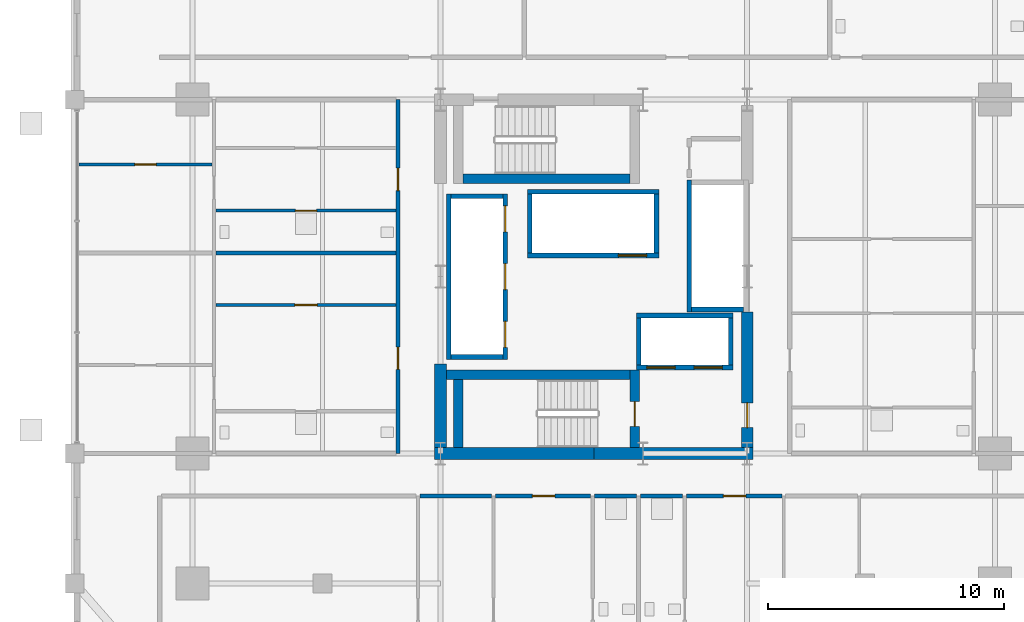
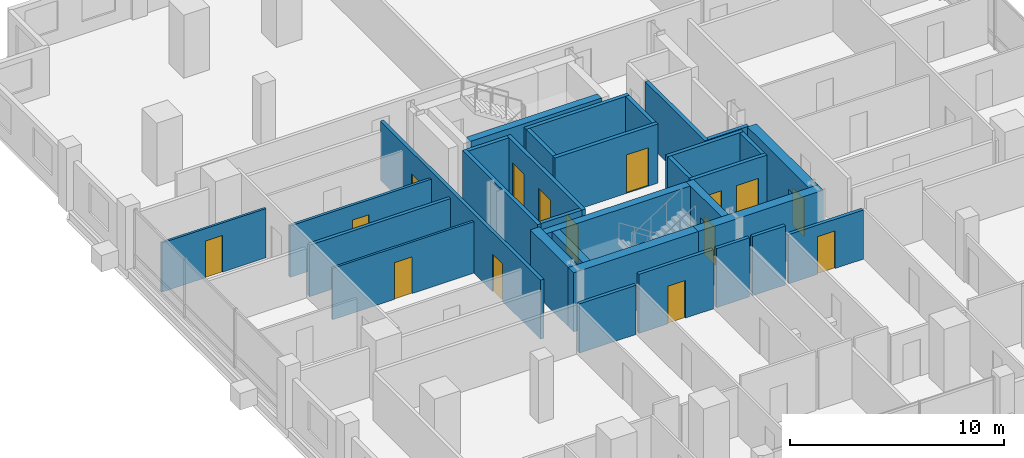
# One storey, part 18 of 23: 32 walls, 15 doors, 15 openings.
"""IFC4 building model written with IfcOpenShell, lengths in metres."""

from ifc_helpers import new_model, si_unit, direction, frame, frame_2d, origin, place, context, subcontext, project, spatial, rectangle, extrude, material, layer, layer_set, type_object, element, fill, save


model = new_model("IFC4")

# Units and contexts
model_context = context("Model", 3, precision=1e-05, world=origin(), true_north=direction((0.0, 1.0)))
body_context = subcontext(model_context, "Body", "Model", "MODEL_VIEW")
ifc_project = project(units=[si_unit("LENGTHUNIT", "METRE"), si_unit("AREAUNIT", "SQUARE_METRE"), si_unit("VOLUMEUNIT", "CUBIC_METRE"), si_unit("PLANEANGLEUNIT", "RADIAN"), si_unit("MASSUNIT", "GRAM", prefix="KILO")], contexts=[model_context])

# Site, building, storey
site_placement = place(None, origin())
site = spatial("IfcSite", under=ifc_project, at=site_placement, CompositionType="ELEMENT")
building_placement = place(site_placement, origin())
building = spatial("IfcBuilding", under=site, at=building_placement, Name="Barlavira Tower and Art Museum", CompositionType="ELEMENT")
storey_placement = place(building_placement, frame((0.0, 0.0, 54.0)))
storey = spatial("IfcBuildingStorey", under=building, at=storey_placement, Name="L12", CompositionType="ELEMENT", Elevation=54.0)

# Wall, opening, door
ifc_material_1 = material(Name="Gypsum acoustic stud partition", Category="gypsum")
ifc_layer_1 = layer(ifc_material_1, 0.1201171875, Name="Gypsum acoustic stud partition")
ifc_layer_set_1 = layer_set([ifc_layer_1], Name="Gypsum acoustic stud partition")
wall_type_1 = type_object("IfcWallType", Name="Apartment Internal Acoustic Partition 120", PredefinedType="PARTITIONING", material=ifc_layer_set_1)
wall_1_placement = place(storey_placement, frame((-16.02001953125, -1.199951171875, 0.0), z_axis=(0.0, 0.0, 1.0), x_axis=(1.0, 0.0, 0.0)))
wall_1 = element("IfcWall", 1, at=wall_1_placement, inside=storey, type_object=wall_type_1, Name="L12 Partition Wall 49", PredefinedType="PARTITIONING", context=body_context, shape_type="SweptSolid", body=[
    extrude(rectangle(XDim=7.64013671875, YDim=0.1201171875, at=frame_2d((3.820068359375, 0.0))), origin(), (0.0, 0.0, 1.0), 2.947998046875),
])
opening_1_placement = place(wall_1_placement, frame((3.344970703125, 0.0, 0.0)))
opening_1 = element("IfcOpeningElement", 2, at=opening_1_placement, cuts=wall_1, Name="Opening D-02", PredefinedType="OPENING", context=body_context, shape_type="SweptSolid", body=[
    extrude(rectangle(XDim=0.949951171875, YDim=2.10009765625, at=frame_2d((0.47509765625, 1.050048828125))), frame((0.0, 0.070068359375, 0.0), z_axis=(0.0, -1.0, 0.0), x_axis=(1.0, 0.0, 0.0)), (0.0, 0.0, 1.0), 0.14013671875),
])
ifc_material_2 = material(Name="Engineered coastal hardwood", Category="wood")
door_type_1 = type_object("IfcDoorType", Name="Living and Salon Glazed-Leaf Door 950x2100", OperationType="NOTDEFINED", PredefinedType="DOOR", material=ifc_material_2)
door_1_placement = place(opening_1_placement, origin())
door_1 = element("IfcDoor", 3, at=door_1_placement, inside=storey, type_object=door_type_1, Name="Apartment W1 Kitchen Door", OperationType="SINGLE_SWING_RIGHT", OverallHeight=2.10009765625, OverallWidth=0.949951171875, PredefinedType="DOOR", context=body_context, shape_type="SweptSolid", body=[
    extrude(rectangle(XDim=0.949951171875, YDim=2.10009765625, at=frame_2d((0.47509765625, 1.050048828125))), frame((0.0, 0.02490234375, 0.0), z_axis=(0.0, -1.0, 0.0), x_axis=(1.0, 0.0, 0.0)), (0.0, 0.0, 1.0), 0.050048828125),
])
fill(opening_1, door_1)

wall_2_placement = place(storey_placement, frame((-21.820068359375, 4.75, 0.0), z_axis=(0.0, 0.0, 1.0), x_axis=(1.0, 0.0, 0.0)))
wall_2 = element("IfcWall", 4, at=wall_2_placement, inside=storey, type_object=wall_type_1, Name="L12 Partition Wall 55", PredefinedType="PARTITIONING", context=body_context, shape_type="SweptSolid", body=[
    extrude(rectangle(XDim=5.64013671875, YDim=0.1201171875, at=frame_2d((2.820068359375, 0.0))), origin(), (0.0, 0.0, 1.0), 2.81591796875),
])
opening_2_placement = place(wall_2_placement, frame((2.3701171875, 0.0, 0.0)))
opening_2 = element("IfcOpeningElement", 5, at=opening_2_placement, cuts=wall_2, Name="Opening D-01", PredefinedType="OPENING", context=body_context, shape_type="SweptSolid", body=[
    extrude(rectangle(XDim=0.89990234375, YDim=2.10009765625, at=frame_2d((0.449951171875, 1.050048828125))), frame((0.0, 0.070068359375, 0.0), z_axis=(0.0, -1.0, 0.0), x_axis=(1.0, 0.0, 0.0)), (0.0, 0.0, 1.0), 0.14013671875),
])
door_type_2 = type_object("IfcDoorType", Name="Internal Bedroom Timber Flush Door 900x2100", OperationType="NOTDEFINED", PredefinedType="DOOR", material=ifc_material_2)
door_2_placement = place(opening_2_placement, origin())
door_2 = element("IfcDoor", 6, at=door_2_placement, inside=storey, type_object=door_type_2, Name="Apartment W2 Bedroom 1 Door", OperationType="SINGLE_SWING_LEFT", OverallHeight=2.10009765625, OverallWidth=0.89990234375, PredefinedType="DOOR", context=body_context, shape_type="SweptSolid", body=[
    extrude(rectangle(XDim=0.89990234375, YDim=2.10009765625, at=frame_2d((0.449951171875, 1.050048828125))), frame((0.0, 0.02490234375, 0.0), z_axis=(0.0, -1.0, 0.0), x_axis=(1.0, 0.0, 0.0)), (0.0, 0.0, 1.0), 0.050048828125),
])
fill(opening_2, door_2)

# Walls
ifc_material_3 = material(Name="Concrete C60", Category="concrete")
ifc_layer_2 = layer(ifc_material_3, 0.5, Name="Concrete C60")
ifc_layer_set_2 = layer_set([ifc_layer_2], Name="Concrete C60")
wall_type_2 = type_object("IfcWallType", Name="Core Structural Shear Wall 500 Concrete C60", PredefinedType="SHEAR", material=ifc_layer_set_2)
for number, where, z_axis, x_axis, name in (
    (7, (-6.75, -7.5, 0.0), (0.0, 0.0, 1.0), (1.0, 0.0, 0.0), "L12 Core Shear Wall CS-SW"),
    (8, (0.0, -7.5, 0.0), (0.0, 0.0, 1.0), (1.0, 0.0, 0.0), "L12 Core Shear Wall CS-SE"),
):
    element("IfcWall", number, at=place(storey_placement, frame(where, z_axis=z_axis, x_axis=x_axis)), inside=storey, type_object=wall_type_2, Name=name, PredefinedType="SHEAR", context=body_context, shape_type="SweptSolid", body=[
        extrude(rectangle(XDim=6.75, YDim=0.5, at=frame_2d((3.375, 0.0))), origin(), (0.0, 0.0, 1.0), 3.3798828125),
    ])
wall_3_placement = place(storey_placement, frame((-6.5, -7.25, 0.0), z_axis=(0.0, 0.0, 1.0), x_axis=(0.0, 1.0, 0.0)))
element("IfcWall", 9, at=wall_3_placement, inside=storey, type_object=wall_type_2, Name="L12 Core Shear Wall CS-W1", PredefinedType="SHEAR", context=body_context, shape_type="SweptSolid", body=[
    extrude(rectangle(XDim=3.550048828125, YDim=0.5, at=frame_2d((1.77490234375, 0.0))), origin(), (0.0, 0.0, 1.0), 3.3798828125),
])

# Wall, opening, door
wall_4_placement = place(storey_placement, frame((6.5, -7.25, 0.0), z_axis=(0.0, 0.0, 1.0), x_axis=(0.0, 1.0, 0.0)))
wall_4 = element("IfcWall", 10, at=wall_4_placement, inside=storey, type_object=wall_type_2, Name="L12 Core Shear Wall CS-E1", PredefinedType="SHEAR", context=body_context, shape_type="SweptSolid", body=[
    extrude(rectangle(XDim=5.75, YDim=0.5, at=frame_2d((2.875, 0.0))), origin(), (0.0, 0.0, 1.0), 3.3798828125),
])
opening_3_placement = place(wall_4_placement, frame((0.85009765625, 0.0, 0.0)))
opening_3 = element("IfcOpeningElement", 11, at=opening_3_placement, cuts=wall_4, Name="Opening FD-90", PredefinedType="OPENING", context=body_context, shape_type="SweptSolid", body=[
    extrude(rectangle(XDim=1.050048828125, YDim=2.14990234375, at=frame_2d((0.52490234375, 1.074951171875))), frame((0.0, 0.260009765625, 0.0), z_axis=(0.0, -1.0, 0.0), x_axis=(1.0, 0.0, 0.0)), (0.0, 0.0, 1.0), 0.52001953125),
])
ifc_material_4 = material(Name="Brushed stainless steel", Category="steel")
door_type_3 = type_object("IfcDoorType", Name="Stair and Refuge Fire Door 1050x2150 FD90S", OperationType="NOTDEFINED", PredefinedType="DOOR", material=ifc_material_4)
door_3_placement = place(opening_3_placement, origin())
door_3 = element("IfcDoor", 12, at=door_3_placement, inside=storey, type_object=door_type_3, Name="L12 Firefighting Lobby Entry Fire Door", OperationType="SINGLE_SWING_LEFT", OverallHeight=2.14990234375, OverallWidth=1.050048828125, PredefinedType="DOOR", context=body_context, shape_type="SweptSolid", body=[
    extrude(rectangle(XDim=1.050048828125, YDim=2.14990234375, at=frame_2d((0.52490234375, 1.074951171875))), frame((0.0, 0.02490234375, 0.0), z_axis=(0.0, -1.0, 0.0), x_axis=(1.0, 0.0, 0.0)), (0.0, 0.0, 1.0), 0.050048828125),
])
fill(opening_3, door_3)

# Wall, openings, doors
ifc_material_5 = material(Name="Autoclaved aerated concrete masonry", Category="masonry")
ifc_layer_3 = layer(ifc_material_5, 0.199951171875, Name="Autoclaved aerated concrete masonry")
ifc_layer_set_3 = layer_set([ifc_layer_3], Name="Autoclaved aerated concrete masonry")
wall_type_3 = type_object("IfcWallType", Name="Fire Compartment and Shaft Wall 200", PredefinedType="SOLIDWALL", material=ifc_layer_set_3)
wall_5_placement = place(storey_placement, frame((-3.75, -3.510009765625, 0.0), z_axis=(0.0, 0.0, 1.0), x_axis=(0.0, 1.0, 0.0)))
wall_5 = element("IfcWall", 13, at=wall_5_placement, inside=storey, type_object=wall_type_3, Name="L12 Low-Rise Lift Front Shaft Wall", PredefinedType="SOLIDWALL", context=body_context, shape_type="SweptSolid", body=[
    extrude(rectangle(XDim=7.02001953125, YDim=0.199951171875, at=frame_2d((3.510009765625, 0.0))), origin(), (0.0, 0.0, 1.0), 3.3798828125),
])
opening_4_placement = place(wall_5_placement, frame((0.510009765625, 0.0, 0.0)))
opening_4 = element("IfcOpeningElement", 14, at=opening_4_placement, cuts=wall_5, Name="Opening LD-P", PredefinedType="OPENING", context=body_context, shape_type="SweptSolid", body=[
    extrude(rectangle(XDim=1.10009765625, YDim=2.14990234375, at=frame_2d((0.550048828125, 1.074951171875))), frame((0.0, 0.10986328125, 0.0), z_axis=(0.0, -1.0, 0.0), x_axis=(1.0, 0.0, 0.0)), (0.0, 0.0, 1.0), 0.219970703125),
])
opening_5_placement = place(wall_5_placement, frame((2.9599609375, 0.0, 0.0)))
opening_5 = element("IfcOpeningElement", 15, at=opening_5_placement, cuts=wall_5, Name="Opening LD-P", PredefinedType="OPENING", context=body_context, shape_type="SweptSolid", body=[
    extrude(rectangle(XDim=1.10009765625, YDim=2.14990234375, at=frame_2d((0.550048828125, 1.074951171875))), frame((0.0, 0.10986328125, 0.0), z_axis=(0.0, -1.0, 0.0), x_axis=(1.0, 0.0, 0.0)), (0.0, 0.0, 1.0), 0.219970703125),
])
opening_6_placement = place(wall_5_placement, frame((5.409912109375, 0.0, 0.0)))
opening_6 = element("IfcOpeningElement", 16, at=opening_6_placement, cuts=wall_5, Name="Opening LD-P", PredefinedType="OPENING", context=body_context, shape_type="SweptSolid", body=[
    extrude(rectangle(XDim=1.10009765625, YDim=2.14990234375, at=frame_2d((0.550048828125, 1.074951171875))), frame((0.0, 0.10986328125, 0.0), z_axis=(0.0, -1.0, 0.0), x_axis=(1.0, 0.0, 0.0)), (0.0, 0.0, 1.0), 0.219970703125),
])
door_type_4 = type_object("IfcDoorType", Name="Passenger Lift Sliding Landing Door 1100x2150 FD60", OperationType="NOTDEFINED", PredefinedType="DOOR", material=ifc_material_4)
door_4_placement = place(opening_4_placement, origin())
door_4 = element("IfcDoor", 17, at=door_4_placement, inside=storey, type_object=door_type_4, Name="L12 Lift PL1 Sliding Landing Door", OperationType="DOUBLE_DOOR_SLIDING", OverallHeight=2.14990234375, OverallWidth=1.10009765625, PredefinedType="DOOR", context=body_context, shape_type="SweptSolid", body=[
    extrude(rectangle(XDim=1.10009765625, YDim=2.14990234375, at=frame_2d((0.550048828125, 1.074951171875))), frame((0.0, 0.02490234375, 0.0), z_axis=(0.0, -1.0, 0.0), x_axis=(1.0, 0.0, 0.0)), (0.0, 0.0, 1.0), 0.050048828125),
])
fill(opening_4, door_4)
door_5_placement = place(opening_5_placement, origin())
door_5 = element("IfcDoor", 18, at=door_5_placement, inside=storey, type_object=door_type_4, Name="L12 Lift PL2 Sliding Landing Door", OperationType="DOUBLE_DOOR_SLIDING", OverallHeight=2.14990234375, OverallWidth=1.10009765625, PredefinedType="DOOR", context=body_context, shape_type="SweptSolid", body=[
    extrude(rectangle(XDim=1.10009765625, YDim=2.14990234375, at=frame_2d((0.550048828125, 1.074951171875))), frame((0.0, 0.02490234375, 0.0), z_axis=(0.0, -1.0, 0.0), x_axis=(1.0, 0.0, 0.0)), (0.0, 0.0, 1.0), 0.050048828125),
])
fill(opening_5, door_5)
door_6_placement = place(opening_6_placement, origin())
door_6 = element("IfcDoor", 19, at=door_6_placement, inside=storey, type_object=door_type_4, Name="L12 Lift PL3 Sliding Landing Door", OperationType="DOUBLE_DOOR_SLIDING", OverallHeight=2.14990234375, OverallWidth=1.10009765625, PredefinedType="DOOR", context=body_context, shape_type="SweptSolid", body=[
    extrude(rectangle(XDim=1.10009765625, YDim=2.14990234375, at=frame_2d((0.550048828125, 1.074951171875))), frame((0.0, 0.02490234375, 0.0), z_axis=(0.0, -1.0, 0.0), x_axis=(1.0, 0.0, 0.0)), (0.0, 0.0, 1.0), 0.050048828125),
])
fill(opening_6, door_6)

# Walls
wall_6_placement = place(storey_placement, frame((-6.14990234375, -3.510009765625, 0.0), z_axis=(0.0, 0.0, 1.0), x_axis=(0.0, 1.0, 0.0)))
element("IfcWall", 20, at=wall_6_placement, inside=storey, type_object=wall_type_3, Name="L12 Low-Rise Lift Back Shaft Wall", PredefinedType="SOLIDWALL", context=body_context, shape_type="SweptSolid", body=[
    extrude(rectangle(XDim=7.02001953125, YDim=0.199951171875, at=frame_2d((3.510009765625, 0.0))), origin(), (0.0, 0.0, 1.0), 3.3798828125),
])
for number, where, z_axis, x_axis, name in (
    (21, (-6.050048828125, -3.409912109375, 0.0), (0.0, 0.0, 1.0), (1.0, 0.0, 0.0), "L12 Low-Rise Lift South Shaft Wall"),
    (22, (-6.050048828125, 3.409912109375, 0.0), (0.0, 0.0, 1.0), (1.0, 0.0, 0.0), "L12 Low-Rise Lift North Shaft Wall"),
):
    element("IfcWall", number, at=place(storey_placement, frame(where, z_axis=z_axis, x_axis=x_axis)), inside=storey, type_object=wall_type_3, Name=name, PredefinedType="SOLIDWALL", context=body_context, shape_type="SweptSolid", body=[
        extrude(rectangle(XDim=2.199951171875, YDim=0.199951171875, at=frame_2d((1.10009765625, 0.0))), origin(), (0.0, 0.0, 1.0), 3.3798828125),
    ])
wall_7_placement = place(storey_placement, frame((4.050048828125, -1.489990234375, 0.0), z_axis=(0.0, 0.0, 1.0), x_axis=(0.0, 1.0, 0.0)))
element("IfcWall", 23, at=wall_7_placement, inside=storey, type_object=wall_type_3, Name="L12 Mid-Rise Lift Front Shaft Wall", PredefinedType="SOLIDWALL", context=body_context, shape_type="SweptSolid", body=[
    extrude(rectangle(XDim=5.580078125, YDim=0.199951171875, at=frame_2d((2.7900390625, 0.0))), origin(), (0.0, 0.0, 1.0), 3.3798828125),
])
wall_8_placement = place(storey_placement, frame((4.14990234375, -1.389892578125, 0.0), z_axis=(0.0, 0.0, 1.0), x_axis=(1.0, 0.0, 0.0)))
element("IfcWall", 24, at=wall_8_placement, inside=storey, type_object=wall_type_3, Name="L12 Mid-Rise Lift South Shaft Wall", PredefinedType="SOLIDWALL", context=body_context, shape_type="SweptSolid", body=[
    extrude(rectangle(XDim=2.2001953125, YDim=0.199951171875, at=frame_2d((1.10009765625, 0.0))), origin(), (0.0, 0.0, 1.0), 3.3798828125),
])

# Wall, opening, door
wall_9_placement = place(storey_placement, frame((-2.820068359375, 0.89990234375, 0.0), z_axis=(0.0, 0.0, 1.0), x_axis=(1.0, 0.0, 0.0)))
wall_9 = element("IfcWall", 25, at=wall_9_placement, inside=storey, type_object=wall_type_3, Name="L12 High-Rise & Service Lift Front Wall", PredefinedType="SOLIDWALL", context=body_context, shape_type="SweptSolid", body=[
    extrude(rectangle(XDim=5.580078125, YDim=0.199951171875, at=frame_2d((2.7900390625, 0.0))), origin(), (0.0, 0.0, 1.0), 3.3798828125),
])
opening_7_placement = place(wall_9_placement, frame((3.860107421875, 0.0, 0.0)))
opening_7 = element("IfcOpeningElement", 26, at=opening_7_placement, cuts=wall_9, Name="Opening LD-F", PredefinedType="OPENING", context=body_context, shape_type="SweptSolid", body=[
    extrude(rectangle(XDim=1.199951171875, YDim=2.199951171875, at=frame_2d((0.60009765625, 1.10009765625))), frame((0.0, 0.10986328125, 0.0), z_axis=(0.0, -1.0, 0.0), x_axis=(1.0, 0.0, 0.0)), (0.0, 0.0, 1.0), 0.219970703125),
])
door_type_5 = type_object("IfcDoorType", Name="Firefighting and Service Lift Sliding Door 1200x2200 FD120", OperationType="NOTDEFINED", PredefinedType="DOOR", material=ifc_material_4)
door_7_placement = place(opening_7_placement, origin())
door_7 = element("IfcDoor", 27, at=door_7_placement, inside=storey, type_object=door_type_5, Name="L12 Stretcher Service Lift SL1 Sliding Door", OperationType="DOUBLE_DOOR_SLIDING", OverallHeight=2.199951171875, OverallWidth=1.199951171875, PredefinedType="DOOR", context=body_context, shape_type="SweptSolid", body=[
    extrude(rectangle(XDim=1.199951171875, YDim=2.199951171875, at=frame_2d((0.60009765625, 1.10009765625))), frame((0.0, 0.02490234375, 0.0), z_axis=(0.0, -1.0, 0.0), x_axis=(1.0, 0.0, 0.0)), (0.0, 0.0, 1.0), 0.050048828125),
])
fill(opening_7, door_7)

# Walls
wall_10_placement = place(storey_placement, frame((-2.820068359375, 3.60009765625, 0.0), z_axis=(0.0, 0.0, 1.0), x_axis=(1.0, 0.0, 0.0)))
element("IfcWall", 28, at=wall_10_placement, inside=storey, type_object=wall_type_3, Name="L12 High-Rise & Service Lift Back Wall", PredefinedType="SOLIDWALL", context=body_context, shape_type="SweptSolid", body=[
    extrude(rectangle(XDim=5.580078125, YDim=0.199951171875, at=frame_2d((2.7900390625, 0.0))), origin(), (0.0, 0.0, 1.0), 3.3798828125),
])
for number, where, z_axis, x_axis, name in (
    (29, (-2.719970703125, 1.0, 0.0), (0.0, 0.0, 1.0), (0.0, 1.0, 0.0), "L12 High-Rise & Service Lift West Wall"),
    (30, (2.659912109375, 1.0, 0.0), (0.0, 0.0, 1.0), (0.0, 1.0, 0.0), "L12 High-Rise & Service Lift East Wall"),
):
    element("IfcWall", number, at=place(storey_placement, frame(where, z_axis=z_axis, x_axis=x_axis)), inside=storey, type_object=wall_type_3, Name=name, PredefinedType="SOLIDWALL", context=body_context, shape_type="SweptSolid", body=[
        extrude(rectangle(XDim=2.5, YDim=0.199951171875, at=frame_2d((1.25, 0.0))), origin(), (0.0, 0.0, 1.0), 3.3798828125),
    ])

# Wall, openings, doors
wall_11_placement = place(storey_placement, frame((1.800048828125, -3.85009765625, 0.0), z_axis=(0.0, 0.0, 1.0), x_axis=(1.0, 0.0, 0.0)))
wall_11 = element("IfcWall", 31, at=wall_11_placement, inside=storey, type_object=wall_type_3, Name="L12 Firefighting Lift Front Shaft Wall", PredefinedType="SOLIDWALL", context=body_context, shape_type="SweptSolid", body=[
    extrude(rectangle(XDim=4.099853515625, YDim=0.199951171875, at=frame_2d((2.0498046875, 0.0))), origin(), (0.0, 0.0, 1.0), 3.3798828125),
])
opening_8_placement = place(wall_11_placement, frame((0.449951171875, 0.0, 0.0)))
opening_8 = element("IfcOpeningElement", 32, at=opening_8_placement, cuts=wall_11, Name="Opening LD-F", PredefinedType="OPENING", context=body_context, shape_type="SweptSolid", body=[
    extrude(rectangle(XDim=1.199951171875, YDim=2.199951171875, at=frame_2d((0.60009765625, 1.10009765625))), frame((0.0, 0.10986328125, 0.0), z_axis=(0.0, -1.0, 0.0), x_axis=(1.0, 0.0, 0.0)), (0.0, 0.0, 1.0), 0.219970703125),
])
opening_9_placement = place(wall_11_placement, frame((2.449951171875, 0.0, 0.0)))
opening_9 = element("IfcOpeningElement", 33, at=opening_9_placement, cuts=wall_11, Name="Opening LD-F", PredefinedType="OPENING", context=body_context, shape_type="SweptSolid", body=[
    extrude(rectangle(XDim=1.199951171875, YDim=2.199951171875, at=frame_2d((0.60009765625, 1.10009765625))), frame((0.0, 0.10986328125, 0.0), z_axis=(0.0, -1.0, 0.0), x_axis=(1.0, 0.0, 0.0)), (0.0, 0.0, 1.0), 0.219970703125),
])
door_8_placement = place(opening_8_placement, origin())
door_8 = element("IfcDoor", 34, at=door_8_placement, inside=storey, type_object=door_type_5, Name="L12 Firefighting Lift FF1 Sliding Door", OperationType="DOUBLE_DOOR_SLIDING", OverallHeight=2.199951171875, OverallWidth=1.199951171875, PredefinedType="DOOR", context=body_context, shape_type="SweptSolid", body=[
    extrude(rectangle(XDim=1.199951171875, YDim=2.199951171875, at=frame_2d((0.60009765625, 1.10009765625))), frame((0.0, 0.02490234375, 0.0), z_axis=(0.0, -1.0, 0.0), x_axis=(1.0, 0.0, 0.0)), (0.0, 0.0, 1.0), 0.050048828125),
])
fill(opening_8, door_8)
door_9_placement = place(opening_9_placement, origin())
door_9 = element("IfcDoor", 35, at=door_9_placement, inside=storey, type_object=door_type_5, Name="L12 Firefighting Lift FF2 Sliding Door", OperationType="DOUBLE_DOOR_SLIDING", OverallHeight=2.199951171875, OverallWidth=1.199951171875, PredefinedType="DOOR", context=body_context, shape_type="SweptSolid", body=[
    extrude(rectangle(XDim=1.199951171875, YDim=2.199951171875, at=frame_2d((0.60009765625, 1.10009765625))), frame((0.0, 0.02490234375, 0.0), z_axis=(0.0, -1.0, 0.0), x_axis=(1.0, 0.0, 0.0)), (0.0, 0.0, 1.0), 0.050048828125),
])
fill(opening_9, door_9)

# Walls
wall_12_placement = place(storey_placement, frame((1.800048828125, -1.64990234375, 0.0), z_axis=(0.0, 0.0, 1.0), x_axis=(1.0, 0.0, 0.0)))
element("IfcWall", 36, at=wall_12_placement, inside=storey, type_object=wall_type_3, Name="L12 Firefighting Lift Back Shaft Wall", PredefinedType="SOLIDWALL", context=body_context, shape_type="SweptSolid", body=[
    extrude(rectangle(XDim=4.099853515625, YDim=0.199951171875, at=frame_2d((2.0498046875, 0.0))), origin(), (0.0, 0.0, 1.0), 3.3798828125),
])
for number, where, z_axis, x_axis, name in (
    (37, (1.89990234375, -3.75, 0.0), (0.0, 0.0, 1.0), (0.0, 1.0, 0.0), "L12 Firefighting Lift West Shaft Wall"),
    (38, (5.800048828125, -3.75, 0.0), (0.0, 0.0, 1.0), (0.0, 1.0, 0.0), "L12 Firefighting Lift East Shaft Wall"),
):
    element("IfcWall", number, at=place(storey_placement, frame(where, z_axis=z_axis, x_axis=x_axis)), inside=storey, type_object=wall_type_3, Name=name, PredefinedType="SOLIDWALL", context=body_context, shape_type="SweptSolid", body=[
        extrude(rectangle(XDim=2.0, YDim=0.199951171875, at=frame_2d((1.0, 0.0))), origin(), (0.0, 0.0, 1.0), 3.3798828125),
    ])

# Wall, openings, doors
ifc_layer_4 = layer(ifc_material_1, 0.179931640625, Name="Gypsum acoustic stud partition")
ifc_layer_set_4 = layer_set([ifc_layer_4], Name="Gypsum acoustic stud partition")
wall_type_4 = type_object("IfcWallType", Name="Inter-Tenancy Party Partition Wall 180", PredefinedType="PARTITIONING", material=ifc_layer_set_4)
wall_13_placement = place(storey_placement, frame((-8.300048828125, -7.5, 0.0), z_axis=(0.0, 0.0, 1.0), x_axis=(0.0, 1.0, 0.0)))
wall_13 = element("IfcWall", 39, at=wall_13_placement, inside=storey, type_object=wall_type_4, Name="L12 Partition Wall 5", PredefinedType="PARTITIONING", context=body_context, shape_type="SweptSolid", body=[
    extrude(rectangle(XDim=15.0, YDim=0.179931640625, at=frame_2d((7.5, 0.0))), origin(), (0.0, 0.0, 1.0), 3.3798828125),
])
opening_10_placement = place(wall_13_placement, frame((3.56494140625, 0.0, 0.0)))
opening_10 = element("IfcOpeningElement", 40, at=opening_10_placement, cuts=wall_13, Name="Opening FD-60", PredefinedType="OPENING", context=body_context, shape_type="SweptSolid", body=[
    extrude(rectangle(XDim=0.949951171875, YDim=2.14990234375, at=frame_2d((0.47509765625, 1.074951171875))), frame((0.0, 0.10009765625, 0.0), z_axis=(0.0, -1.0, 0.0), x_axis=(1.0, 0.0, 0.0)), (0.0, 0.0, 1.0), 0.199951171875),
])
opening_11_placement = place(wall_13_placement, frame((11.14501953125, 0.0, 0.0)))
opening_11 = element("IfcOpeningElement", 41, at=opening_11_placement, cuts=wall_13, Name="Opening FD-60", PredefinedType="OPENING", context=body_context, shape_type="SweptSolid", body=[
    extrude(rectangle(XDim=0.949951171875, YDim=2.14990234375, at=frame_2d((0.47509765625, 1.074951171875))), frame((0.0, 0.10009765625, 0.0), z_axis=(0.0, -1.0, 0.0), x_axis=(1.0, 0.0, 0.0)), (0.0, 0.0, 1.0), 0.199951171875),
])
door_type_6 = type_object("IfcDoorType", Name="Apartment Entrance and Riser Fire Door 950x2150 FD60S", OperationType="NOTDEFINED", PredefinedType="DOOR", material=ifc_material_4)
door_10_placement = place(opening_10_placement, origin())
door_10 = element("IfcDoor", 42, at=door_10_placement, inside=storey, type_object=door_type_6, Name="Apartment Entrance Hall W1 Door", OperationType="SINGLE_SWING_LEFT", OverallHeight=2.14990234375, OverallWidth=0.949951171875, PredefinedType="DOOR", context=body_context, shape_type="SweptSolid", body=[
    extrude(rectangle(XDim=0.949951171875, YDim=2.14990234375, at=frame_2d((0.47509765625, 1.074951171875))), frame((0.0, 0.02490234375, 0.0), z_axis=(0.0, -1.0, 0.0), x_axis=(1.0, 0.0, 0.0)), (0.0, 0.0, 1.0), 0.050048828125),
])
fill(opening_10, door_10)
door_11_placement = place(opening_11_placement, origin())
door_11 = element("IfcDoor", 43, at=door_11_placement, inside=storey, type_object=door_type_6, Name="Apartment Entrance Hall W2 Door", OperationType="SINGLE_SWING_RIGHT", OverallHeight=2.14990234375, OverallWidth=0.949951171875, PredefinedType="DOOR", context=body_context, shape_type="SweptSolid", body=[
    extrude(rectangle(XDim=0.949951171875, YDim=2.14990234375, at=frame_2d((0.47509765625, 1.074951171875))), frame((0.0, 0.02490234375, 0.0), z_axis=(0.0, -1.0, 0.0), x_axis=(1.0, 0.0, 0.0)), (0.0, 0.0, 1.0), 0.050048828125),
])
fill(opening_11, door_11)

# Wall
wall_14_placement = place(storey_placement, frame((-7.3701171875, -9.300048828125, 0.0), z_axis=(0.0, 0.0, 1.0), x_axis=(1.0, 0.0, 0.0)))
element("IfcWall", 44, at=wall_14_placement, inside=storey, type_object=wall_type_4, Name="L12 Partition Wall 33", PredefinedType="PARTITIONING", context=body_context, shape_type="SweptSolid", body=[
    extrude(rectangle(XDim=3.0400390625, YDim=0.179931640625, at=frame_2d((1.52001953125, 0.0))), origin(), (0.0, 0.0, 1.0), 2.81591796875),
])

# Wall, opening, door
wall_15_placement = place(storey_placement, frame((-4.169921875, -9.300048828125, 0.0), z_axis=(0.0, 0.0, 1.0), x_axis=(1.0, 0.0, 0.0)))
wall_15 = element("IfcWall", 45, at=wall_15_placement, inside=storey, type_object=wall_type_4, Name="L12 Partition Wall 34", PredefinedType="PARTITIONING", context=body_context, shape_type="SweptSolid", body=[
    extrude(rectangle(XDim=4.0400390625, YDim=0.179931640625, at=frame_2d((2.02001953125, 0.0))), origin(), (0.0, 0.0, 1.0), 3.3798828125),
])
opening_12_placement = place(wall_15_placement, frame((1.56494140625, 0.0, 0.0)))
opening_12 = element("IfcOpeningElement", 46, at=opening_12_placement, cuts=wall_15, Name="Opening FD-60", PredefinedType="OPENING", context=body_context, shape_type="SweptSolid", body=[
    extrude(rectangle(XDim=0.949951171875, YDim=2.14990234375, at=frame_2d((0.47509765625, 1.074951171875))), frame((0.0, 0.10009765625, 0.0), z_axis=(0.0, -1.0, 0.0), x_axis=(1.0, 0.0, 0.0)), (0.0, 0.0, 1.0), 0.199951171875),
])
door_12_placement = place(opening_12_placement, origin())
door_12 = element("IfcDoor", 47, at=door_12_placement, inside=storey, type_object=door_type_6, Name="Apartment Entrance Hall S1 Door", OperationType="SINGLE_SWING_RIGHT", OverallHeight=2.14990234375, OverallWidth=0.949951171875, PredefinedType="DOOR", context=body_context, shape_type="SweptSolid", body=[
    extrude(rectangle(XDim=0.949951171875, YDim=2.14990234375, at=frame_2d((0.47509765625, 1.074951171875))), frame((0.0, 0.02490234375, 0.0), z_axis=(0.0, -1.0, 0.0), x_axis=(1.0, 0.0, 0.0)), (0.0, 0.0, 1.0), 0.050048828125),
])
fill(opening_12, door_12)

# Walls
for number, where, z_axis, x_axis, name in (
    (48, (0.030029296875, -9.300048828125, 0.0), (0.0, 0.0, 1.0), (1.0, 0.0, 0.0), "L12 Partition Wall 35"),
    (49, (1.97998046875, -9.300048828125, 0.0), (0.0, 0.0, 1.0), (1.0, 0.0, 0.0), "L12 Partition Wall 36"),
):
    element("IfcWall", number, at=place(storey_placement, frame(where, z_axis=z_axis, x_axis=x_axis)), inside=storey, type_object=wall_type_4, Name=name, PredefinedType="PARTITIONING", context=body_context, shape_type="SweptSolid", body=[
        extrude(rectangle(XDim=1.7900390625, YDim=0.179931640625, at=frame_2d((0.89501953125, 0.0))), origin(), (0.0, 0.0, 1.0), 3.3798828125),
    ])

# Wall, opening, door
wall_16_placement = place(storey_placement, frame((3.929931640625, -9.300048828125, 0.0), z_axis=(0.0, 0.0, 1.0), x_axis=(1.0, 0.0, 0.0)))
wall_16 = element("IfcWall", 50, at=wall_16_placement, inside=storey, type_object=wall_type_4, Name="L12 Partition Wall 37", PredefinedType="PARTITIONING", context=body_context, shape_type="SweptSolid", body=[
    extrude(rectangle(XDim=4.0400390625, YDim=0.179931640625, at=frame_2d((2.02001953125, 0.0))), origin(), (0.0, 0.0, 1.0), 2.81591796875),
])
opening_13_placement = place(wall_16_placement, frame((1.56494140625, 0.0, 0.0)))
opening_13 = element("IfcOpeningElement", 51, at=opening_13_placement, cuts=wall_16, Name="Opening FD-60", PredefinedType="OPENING", context=body_context, shape_type="SweptSolid", body=[
    extrude(rectangle(XDim=0.949951171875, YDim=2.14990234375, at=frame_2d((0.47509765625, 1.074951171875))), frame((0.0, 0.10009765625, 0.0), z_axis=(0.0, -1.0, 0.0), x_axis=(1.0, 0.0, 0.0)), (0.0, 0.0, 1.0), 0.199951171875),
])
door_13_placement = place(opening_13_placement, origin())
door_13 = element("IfcDoor", 52, at=door_13_placement, inside=storey, type_object=door_type_6, Name="Apartment Entrance Hall S2 Door", OperationType="SINGLE_SWING_RIGHT", OverallHeight=2.14990234375, OverallWidth=0.949951171875, PredefinedType="DOOR", context=body_context, shape_type="SweptSolid", body=[
    extrude(rectangle(XDim=0.949951171875, YDim=2.14990234375, at=frame_2d((0.47509765625, 1.074951171875))), frame((0.0, 0.02490234375, 0.0), z_axis=(0.0, -1.0, 0.0), x_axis=(1.0, 0.0, 0.0)), (0.0, 0.0, 1.0), 0.050048828125),
])
fill(opening_13, door_13)

# Wall
wall_17_placement = place(storey_placement, frame((-16.02001953125, 1.0, 0.0), z_axis=(0.0, 0.0, 1.0), x_axis=(1.0, 0.0, 0.0)))
element("IfcWall", 53, at=wall_17_placement, inside=storey, type_object=wall_type_4, Name="L12 Partition Wall 51", PredefinedType="PARTITIONING", context=body_context, shape_type="SweptSolid", body=[
    extrude(rectangle(XDim=7.64013671875, YDim=0.179931640625, at=frame_2d((3.820068359375, 0.0))), origin(), (0.0, 0.0, 1.0), 2.947998046875),
])

# Wall, opening, door
ifc_layer_5 = layer(ifc_material_1, 0.139892578125, Name="Gypsum acoustic stud partition")
ifc_layer_set_5 = layer_set([ifc_layer_5], Name="Gypsum acoustic stud partition")
wall_type_5 = type_object("IfcWallType", Name="Moisture-Resistant Bathroom Partition 140", PredefinedType="PARTITIONING", material=ifc_layer_set_5)
wall_18_placement = place(storey_placement, frame((-16.02001953125, 2.800048828125, 0.0), z_axis=(0.0, 0.0, 1.0), x_axis=(1.0, 0.0, 0.0)))
wall_18 = element("IfcWall", 54, at=wall_18_placement, inside=storey, type_object=wall_type_5, Name="L12 Partition Wall 53", PredefinedType="PARTITIONING", context=body_context, shape_type="SweptSolid", body=[
    extrude(rectangle(XDim=7.64013671875, YDim=0.139892578125, at=frame_2d((3.820068359375, 0.0))), origin(), (0.0, 0.0, 1.0), 2.947998046875),
])
opening_14_placement = place(wall_18_placement, frame((3.3701171875, 0.0, 0.0)))
opening_14 = element("IfcOpeningElement", 55, at=opening_14_placement, cuts=wall_18, Name="Opening D-WC", PredefinedType="OPENING", context=body_context, shape_type="SweptSolid", body=[
    extrude(rectangle(XDim=0.89990234375, YDim=2.10009765625, at=frame_2d((0.449951171875, 1.050048828125))), frame((0.0, 0.080078125, 0.0), z_axis=(0.0, -1.0, 0.0), x_axis=(1.0, 0.0, 0.0)), (0.0, 0.0, 1.0), 0.159912109375),
])
door_type_7 = type_object("IfcDoorType", Name="Accessible Bathroom Flush Door 900x2100", OperationType="NOTDEFINED", PredefinedType="DOOR", material=ifc_material_2)
door_14_placement = place(opening_14_placement, origin())
door_14 = element("IfcDoor", 56, at=door_14_placement, inside=storey, type_object=door_type_7, Name="Apartment W2 Hall Bathroom Door", OperationType="SINGLE_SWING_LEFT", OverallHeight=2.10009765625, OverallWidth=0.89990234375, PredefinedType="DOOR", context=body_context, shape_type="SweptSolid", body=[
    extrude(rectangle(XDim=0.89990234375, YDim=2.10009765625, at=frame_2d((0.449951171875, 1.050048828125))), frame((0.0, 0.02490234375, 0.0), z_axis=(0.0, -1.0, 0.0), x_axis=(1.0, 0.0, 0.0)), (0.0, 0.0, 1.0), 0.050048828125),
])
fill(opening_14, door_14)

# Walls
ifc_material_6 = material(Name="Concrete C55", Category="concrete")
ifc_layer_6 = layer(ifc_material_6, 0.39990234375, Name="Concrete C55")
ifc_layer_set_6 = layer_set([ifc_layer_6], Name="Concrete C55")
wall_type_6 = type_object("IfcWallType", Name="Upper Core Shear Wall 400 Concrete C55", PredefinedType="SHEAR", material=ifc_layer_set_6)
wall_19_placement = place(storey_placement, frame((-5.75, -7.25, 0.0), z_axis=(0.0, 0.0, 1.0), x_axis=(0.0, 1.0, 0.0)))
element("IfcWall", 57, at=wall_19_placement, inside=storey, type_object=wall_type_6, Name="L12 ST-T1 West Half-Landing Wall", PredefinedType="SHEAR", context=body_context, shape_type="SweptSolid", body=[
    extrude(rectangle(XDim=2.89990234375, YDim=0.39990234375, at=frame_2d((1.449951171875, 0.0))), origin(), (0.0, 0.0, 1.0), 3.3798828125),
])
wall_20_placement = place(storey_placement, frame((-6.25, -4.14990234375, 0.0), z_axis=(0.0, 0.0, 1.0), x_axis=(1.0, 0.0, 0.0)))
element("IfcWall", 58, at=wall_20_placement, inside=storey, type_object=wall_type_6, Name="L12 ST-T1 North Shaft Wall", PredefinedType="SHEAR", context=body_context, shape_type="SweptSolid", body=[
    extrude(rectangle(XDim=7.780029296875, YDim=0.39990234375, at=frame_2d((3.89013671875, 0.0))), origin(), (0.0, 0.0, 1.0), 3.3798828125),
])

# Wall, opening, door
wall_21_placement = place(storey_placement, frame((1.72998046875, -7.25, 0.0), z_axis=(0.0, 0.0, 1.0), x_axis=(0.0, 1.0, 0.0)))
wall_21 = element("IfcWall", 59, at=wall_21_placement, inside=storey, type_object=wall_type_6, Name="L12 ST-T1 East Landing Wall", PredefinedType="SHEAR", context=body_context, shape_type="SweptSolid", body=[
    extrude(rectangle(XDim=3.300048828125, YDim=0.39990234375, at=frame_2d((1.64990234375, 0.0))), origin(), (0.0, 0.0, 1.0), 3.3798828125),
])
opening_15_placement = place(wall_21_placement, frame((0.89990234375, 0.0, 0.0)))
opening_15 = element("IfcOpeningElement", 60, at=opening_15_placement, cuts=wall_21, Name="Opening FD-90", PredefinedType="OPENING", context=body_context, shape_type="SweptSolid", body=[
    extrude(rectangle(XDim=1.050048828125, YDim=2.14990234375, at=frame_2d((0.52490234375, 1.074951171875))), frame((0.0, 0.2099609375, 0.0), z_axis=(0.0, -1.0, 0.0), x_axis=(1.0, 0.0, 0.0)), (0.0, 0.0, 1.0), 0.419921875),
])
door_15_placement = place(opening_15_placement, origin())
door_15 = element("IfcDoor", 61, at=door_15_placement, inside=storey, type_object=door_type_3, Name="L12 Stair ST-T1 Fire Door", OperationType="SINGLE_SWING_RIGHT", OverallHeight=2.14990234375, OverallWidth=1.050048828125, PredefinedType="DOOR", context=body_context, shape_type="SweptSolid", body=[
    extrude(rectangle(XDim=1.050048828125, YDim=2.14990234375, at=frame_2d((0.52490234375, 1.074951171875))), frame((0.0, 0.02490234375, 0.0), z_axis=(0.0, -1.0, 0.0), x_axis=(1.0, 0.0, 0.0)), (0.0, 0.0, 1.0), 0.050048828125),
])
fill(opening_15, door_15)

# Wall
wall_22_placement = place(storey_placement, frame((-5.550048828125, 4.14990234375, 0.0), z_axis=(0.0, 0.0, 1.0), x_axis=(1.0, 0.0, 0.0)))
element("IfcWall", 62, at=wall_22_placement, inside=storey, type_object=wall_type_6, Name="L12 ST-T2 South Shaft Wall", PredefinedType="SHEAR", context=body_context, shape_type="SweptSolid", body=[
    extrude(rectangle(XDim=7.080078125, YDim=0.39990234375, at=frame_2d((3.5400390625, 0.0))), origin(), (0.0, 0.0, 1.0), 3.3798828125),
])

save(model, "model.ifc")
